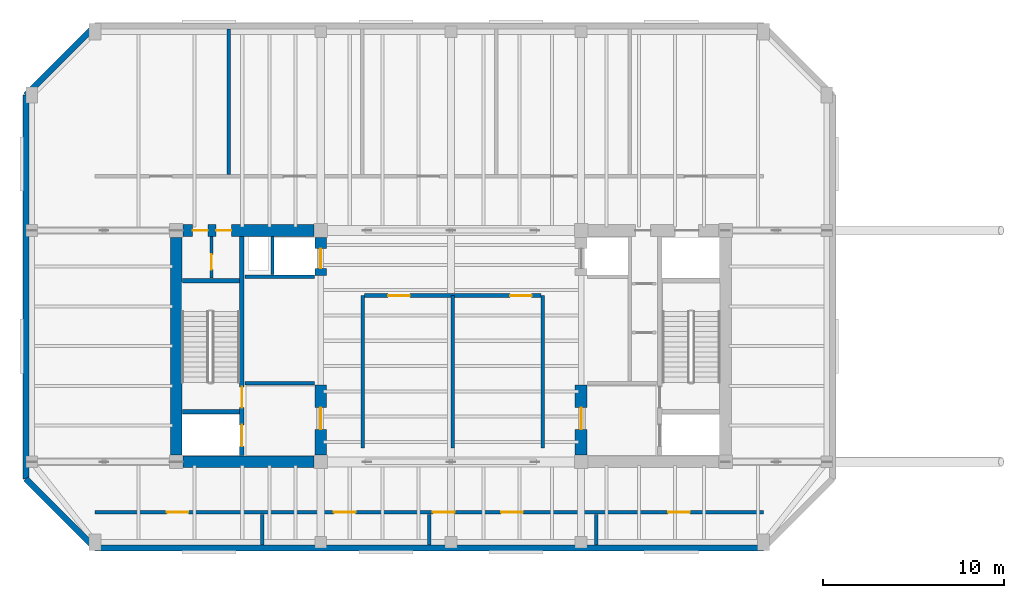
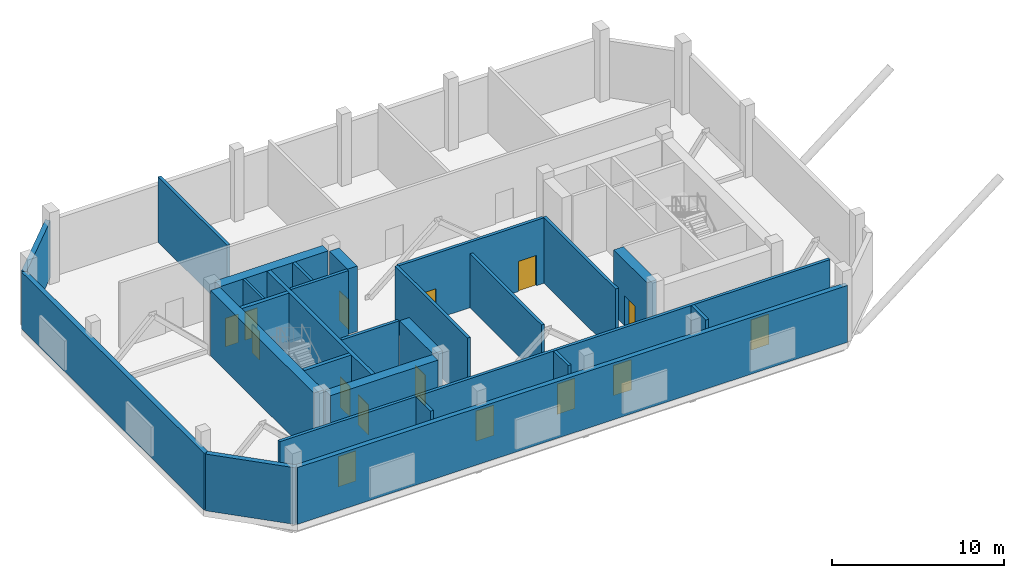
# One storey, part 5 of 9: 26 walls, 15 doors, 15 openings.
"""IFC4 building model written with IfcOpenShell, lengths in metres."""

import ifcopenshell
import ifcopenshell.guid

model = None  # the IFC model being written
_history = None  # IfcOwnerHistory: only IFC2X3 demands one
_inside = {}  # id of a spatial element -> (the spatial element, [elements in it])
_under = {}  # id of a project, library or spatial element -> (it, [spatial elements below it])
_declared = {}  # id of a project -> (the project, [libraries it declares])
_typed = {}  # id of a type object -> (the type object, [elements of that type])
_made_of = {}  # id of a material, layer set ... -> (it, [elements and type objects made of it])


def new_model(schema):
    """Start an empty IFC model of exactly this schema.

    Asked for "IFC4X3", IfcOpenShell would pick the latest addendum, in which some entities
    have other attributes; the version numbers below select the first issue.
    IFC2X3 requires an IfcOwnerHistory on every rooted entity: one is made here for all.
    """
    global model, _history
    if schema == "IFC4X3":
        model = ifcopenshell.file(schema_version=(4, 3, 0, 0))
    else:
        model = ifcopenshell.file(schema=schema)
    _inside.clear()
    _under.clear()
    _declared.clear()
    _typed.clear()
    _made_of.clear()
    _history = None
    if model.schema == "IFC2X3":
        org = make("IfcOrganization", Name="unknown")
        user = make(
            "IfcPersonAndOrganization",
            ThePerson=make("IfcPerson", FamilyName="unknown"),
            TheOrganization=org,
        )
        app = make(
            "IfcApplication",
            ApplicationDeveloper=org,
            Version="unknown",
            ApplicationFullName="unknown",
            ApplicationIdentifier="unknown",
        )
        _history = make(
            "IfcOwnerHistory",
            OwningUser=user,
            OwningApplication=app,
            ChangeAction="ADDED",
            CreationDate=0,
        )
    return model


def make(cls, **values):
    """One entity of the class cls with the attributes given. An attribute that is None is left unset."""
    return model.create_entity(
        cls, **{name: value for name, value in values.items() if value is not None}
    )


def rooted(cls, **values):
    """An entity with a GlobalId (a new one), such as an element, a storey or a relation."""
    return make(cls, GlobalId=ifcopenshell.guid.new(), OwnerHistory=_history, **values)


def si_unit(unit_type, name, prefix=None):
    """IfcSIUnit, for example si_unit("LENGTHUNIT", "METRE", prefix="MILLI")."""
    return make("IfcSIUnit", UnitType=unit_type, Prefix=prefix, Name=name)


def assignment(units):
    """IfcUnitAssignment: the units of a project."""
    return None if units is None else make("IfcUnitAssignment", Units=units)


def point(xyz):
    """IfcCartesianPoint."""
    return None if xyz is None else make("IfcCartesianPoint", Coordinates=xyz)


def direction(xyz):
    """IfcDirection."""
    return None if xyz is None else make("IfcDirection", DirectionRatios=xyz)


def frame(location, z_axis=None, x_axis=None):
    """IfcAxis2Placement3D, a coordinate frame: its origin and axes. An axis left out is left unset."""
    return make(
        "IfcAxis2Placement3D",
        Location=point(location),
        Axis=direction(z_axis),
        RefDirection=direction(x_axis),
    )


def frame_2d(location, x_axis=None):
    """IfcAxis2Placement2D, a coordinate frame in the plane: its origin and x axis."""
    return make(
        "IfcAxis2Placement2D", Location=point(location), RefDirection=direction(x_axis)
    )


def origin():
    """The frame at (0, 0, 0) with its axes left unset."""
    return frame((0.0, 0.0, 0.0))


def place(relative_to, where):
    """IfcLocalPlacement: puts the frame where relative to a parent placement (None: the world)."""
    return make(
        "IfcLocalPlacement", PlacementRelTo=relative_to, RelativePlacement=where
    )


def context(
    kind, dimensions, precision=None, world=None, true_north=None, identifier=None
):
    """IfcGeometricRepresentationContext, for example the 3D "Model" context."""
    return make(
        "IfcGeometricRepresentationContext",
        ContextIdentifier=identifier,
        ContextType=kind,
        CoordinateSpaceDimension=dimensions,
        Precision=precision,
        WorldCoordinateSystem=world,
        TrueNorth=true_north,
    )


def subcontext(parent, identifier, kind, view, scale=None):
    """IfcGeometricRepresentationSubContext, for example "Body" below "Model"."""
    return make(
        "IfcGeometricRepresentationSubContext",
        ContextIdentifier=identifier,
        ContextType=kind,
        ParentContext=parent,
        TargetScale=scale,
        TargetView=view,
    )


def project(units=None, contexts=None):
    """IfcProject with its units and contexts."""
    return rooted(
        "IfcProject",
        Name="project",
        RepresentationContexts=contexts,
        UnitsInContext=assignment(units),
    )


def spatial(cls, under=None, at=None, **own):
    """A site, building, storey or space (cls), placed at a placement, below another one or the project."""
    s = rooted(cls, ObjectPlacement=at, **own)
    if under is not None:
        _under.setdefault(under.id(), (under, []))[1].append(s)
    return s


def profile(cls, at=None, kind="AREA", **sizes):
    """A parametric profile (cls). Its sizes go by their IFC names, for example OverallWidth=200.0."""
    return make(cls, ProfileType=kind, Position=at, **sizes)


def rectangle(**sizes):
    """IfcRectangleProfileDef."""
    return profile("IfcRectangleProfileDef", **sizes)


def extrude(swept, where, along, depth):
    """IfcExtrudedAreaSolid: the profile swept, set in the frame where, extruded along a direction by depth."""
    return make(
        "IfcExtrudedAreaSolid",
        SweptArea=swept,
        Position=where,
        ExtrudedDirection=direction(along),
        Depth=depth,
    )


def shape(context_of_items, identifier, shape_type, items):
    """IfcShapeRepresentation: the items that make up one representation, for example the "Body"."""
    return make(
        "IfcShapeRepresentation",
        ContextOfItems=context_of_items,
        RepresentationIdentifier=identifier,
        RepresentationType=shape_type,
        Items=items,
    )


def material(Name=None, Category=None):
    """IfcMaterial."""
    return make("IfcMaterial", Name=Name, Category=Category)


def layer(
    of_material, thickness, ventilated=None, Name=None, Category=None, Priority=None
):
    """IfcMaterialLayer: one layer of a wall or slab, of a material (None: an air gap)."""
    return make(
        "IfcMaterialLayer",
        Material=of_material,
        LayerThickness=thickness,
        IsVentilated=ventilated,
        Name=Name,
        Category=Category,
        Priority=Priority,
    )


def layer_set(layers, Name=None):
    """IfcMaterialLayerSet."""
    return make("IfcMaterialLayerSet", MaterialLayers=layers, LayerSetName=Name)


def made_of(thing, what):
    """Note that an element or type object is made of a material, layer set ...; save() writes the relation."""
    if what is not None:
        _made_of.setdefault(what.id(), (what, []))[1].append(thing)
    return thing


def type_object(cls, material=None, **own):
    """A type object (cls), such as IfcWallType, which elements share."""
    return made_of(rooted(cls, **own), material)


def element(
    cls,
    number,
    at=None,
    inside=None,
    cuts=None,
    type_object=None,
    material=None,
    context=None,
    identifier="Body",
    shape_type=None,
    held_by="IfcProductDefinitionShape",
    body=None,
    shapes=None,
    **own,
):
    """One element of the class cls, such as IfcWall. Its Tag is "e" and its number.

    at: its placement. inside: the storey or other place that contains it. cuts: it is an
    opening in that element (IfcRelVoidsElement). A single representation is given by context,
    identifier, shape_type and body (its items); several are given by shapes. held_by: the class
    of the entity that holds the representations. save() writes the other relations.
    """
    e = rooted(cls, Tag="e%d" % number, ObjectPlacement=at, **own)
    if body is not None:
        shapes = [shape(context, identifier, shape_type, body)]
    if shapes is not None:
        e.Representation = make(held_by, Representations=shapes)
    if inside is not None:
        _inside.setdefault(inside.id(), (inside, []))[1].append(e)
    if cuts is not None:
        rooted(
            "IfcRelVoidsElement", RelatingBuildingElement=cuts, RelatedOpeningElement=e
        )
    if type_object is not None:
        _typed.setdefault(type_object.id(), (type_object, []))[1].append(e)
    return made_of(e, material)


def fill(opening, filler):
    """IfcRelFillsElement: the door or window that sits in an opening."""
    return rooted(
        "IfcRelFillsElement",
        RelatingOpeningElement=opening,
        RelatedBuildingElement=filler,
    )


def aggregate(whole, parts):
    """IfcRelAggregates: a whole, such as a stair, and the parts it consists of."""
    return rooted("IfcRelAggregates", RelatingObject=whole, RelatedObjects=parts)


def save(model, path):
    """Write the relations noted so far, then the file.

    IfcRelAggregates (storeys below a building ...), IfcRelContainedInSpatialStructure (elements
    in a storey), IfcRelDefinesByType, IfcRelAssociatesMaterial and IfcRelDeclares: one each for
    every whole, place, type object, material and project.
    """
    for whole, parts in _under.values():
        aggregate(whole, parts)
    for where, things in _inside.values():
        rooted(
            "IfcRelContainedInSpatialStructure",
            RelatedElements=things,
            RelatingStructure=where,
        )
    for kind, things in _typed.values():
        rooted("IfcRelDefinesByType", RelatedObjects=things, RelatingType=kind)
    for what, things in _made_of.values():
        rooted("IfcRelAssociatesMaterial", RelatedObjects=things, RelatingMaterial=what)
    for by, libraries in _declared.values():
        rooted("IfcRelDeclares", RelatingContext=by, RelatedDefinitions=libraries)
    model.write(path)


model = new_model("IFC4")

# Units and contexts
model_context = context("Model", 3, precision=1e-05, world=origin(), true_north=direction((0.0, 1.0)))
body_context = subcontext(model_context, "Body", "Model", "MODEL_VIEW")
ifc_project = project(units=[si_unit("LENGTHUNIT", "METRE"), si_unit("AREAUNIT", "SQUARE_METRE"), si_unit("VOLUMEUNIT", "CUBIC_METRE"), si_unit("PLANEANGLEUNIT", "RADIAN"), si_unit("MASSUNIT", "GRAM", prefix="KILO")], contexts=[model_context])

# Site, building, storey
site_placement = place(None, origin())
site = spatial("IfcSite", under=ifc_project, at=site_placement, CompositionType="ELEMENT")
building_placement = place(site_placement, origin())
building = spatial("IfcBuilding", under=site, at=building_placement, Name="Kranthara Brick Stack", CompositionType="ELEMENT")
storey_placement = place(building_placement, frame((0.0, 0.0, 282.300048828125)))
storey = spatial("IfcBuildingStorey", under=building, at=storey_placement, Name="L75", CompositionType="ELEMENT", Elevation=282.300048828125)

# Walls
ifc_material_1 = material(Name="Warm buff clay brick masonry M15", Category="masonry")
ifc_layer_1 = layer(ifc_material_1, 0.320068359375)
ifc_layer_set_1 = layer_set([ifc_layer_1], Name="Warm buff clay brick masonry M15")
wall_type_1 = type_object("IfcWallType", Name="WL-BRK-UPPR-320", PredefinedType="STANDARD", material=ifc_layer_set_1)
wall_1_placement = place(storey_placement, frame((45.300048828125, 16.030029296875, 0.0), z_axis=(0.0, 0.0, 1.0), x_axis=(-1.0, 0.0, 0.0)))
element("IfcWall", 1, at=wall_1_placement, inside=storey, type_object=wall_type_1, Name="L75 Exterior Brick Facade Wall SOUTH 1", PredefinedType="STANDARD", context=body_context, shape_type="SweptSolid", body=[
    extrude(rectangle(XDim=37.0, YDim=0.320068359375, at=frame_2d((18.5, 0.0))), origin(), (0.0, 0.0, 1.0), 4.034912109375),
])
wall_2_placement = place(storey_placement, frame((8.300048828125, 16.030029296875, 0.0), z_axis=(0.0, 0.0, 1.0), x_axis=(-0.707106781187, 0.707106781187, 0.0)))
element("IfcWall", 2, at=wall_2_placement, inside=storey, type_object=wall_type_1, Name="L75 Exterior Brick Facade Wall SW 1", PredefinedType="STANDARD", context=body_context, shape_type="SweptSolid", body=[
    extrude(rectangle(XDim=5.40234375, YDim=0.320068359375, at=frame_2d((2.701171875, 0.0))), origin(), (0.0, 0.0, 1.0), 4.034912109375),
])
wall_3_placement = place(storey_placement, frame((4.47998046875, 19.85009765625, 0.0), z_axis=(0.0, 0.0, 1.0), x_axis=(0.0, 1.0, 0.0)))
element("IfcWall", 3, at=wall_3_placement, inside=storey, type_object=wall_type_1, Name="L75 Exterior Brick Facade Wall WEST 1", PredefinedType="STANDARD", context=body_context, shape_type="SweptSolid", body=[
    extrude(rectangle(XDim=21.25, YDim=0.320068359375, at=frame_2d((10.625, 0.0))), origin(), (0.0, 0.0, 1.0), 4.034912109375),
])
wall_4_placement = place(storey_placement, frame((4.47998046875, 41.10009765625, 0.0), z_axis=(0.0, 0.0, 1.0), x_axis=(0.70712937715, 0.707084184501, 0.0)))
element("IfcWall", 4, at=wall_4_placement, inside=storey, type_object=wall_type_1, Name="L75 Exterior Brick Facade Wall NW 1", PredefinedType="STANDARD", context=body_context, shape_type="SweptSolid", body=[
    extrude(rectangle(XDim=5.402099609375, YDim=0.320068359375, at=frame_2d((2.701171875, 0.0))), origin(), (0.0, 0.0, 1.0), 4.034912109375),
])

# Wall, openings, doors
ifc_material_2 = material(Name="Concrete C50/60", Category="concrete")
ifc_layer_2 = layer(ifc_material_2, 0.25)
ifc_layer_set_2 = layer_set([ifc_layer_2], Name="Concrete C50/60")
wall_type_2 = type_object("IfcWallType", Name="WL-CORE-250", PredefinedType="SHEAR", material=ifc_layer_set_2)
wall_5_placement = place(storey_placement, frame((16.43505859375, 21.135009765625, 0.0), z_axis=(0.0, 0.0, 1.0), x_axis=(0.0, 1.0, 0.0)))
wall_5 = element("IfcWall", 5, at=wall_5_placement, inside=storey, type_object=wall_type_2, Name="L75 West Core Stair Bearing Spine Wall", PredefinedType="SHEAR", context=body_context, shape_type="SweptSolid", body=[
    extrude(rectangle(XDim=12.1298828125, YDim=0.25, at=frame_2d((6.06494140625, 0.0))), origin(), (0.0, 0.0, 1.0), 4.64990234375),
])
opening_1_placement = place(wall_5_placement, frame((0.514892578125, 0.0, 0.0)))
opening_1 = element("IfcOpeningElement", 6, at=opening_1_placement, cuts=wall_5, Name="Opening LD01", PredefinedType="OPENING", context=body_context, shape_type="SweptSolid", body=[
    extrude(rectangle(XDim=1.199951171875, YDim=2.14990234375, at=frame_2d((0.60009765625, 1.074951171875))), frame((0.0, 0.135009765625, 0.0), z_axis=(0.0, -1.0, 0.0), x_axis=(1.0, 0.0, 0.0)), (0.0, 0.0, 1.0), 0.27001953125),
])
opening_2_placement = place(wall_5_placement, frame((2.6650390625, 0.0, 0.0)))
opening_2 = element("IfcOpeningElement", 7, at=opening_2_placement, cuts=wall_5, Name="Opening D05", PredefinedType="OPENING", context=body_context, shape_type="SweptSolid", body=[
    extrude(rectangle(XDim=1.14990234375, YDim=2.14990234375, at=frame_2d((0.574951171875, 1.074951171875))), frame((0.0, 0.135009765625, 0.0), z_axis=(0.0, -1.0, 0.0), x_axis=(1.0, 0.0, 0.0)), (0.0, 0.0, 1.0), 0.27001953125),
])
ifc_material_3 = material(Name="Stainless steel sliding landing door", Category="steel")
door_type_1 = type_object("IfcDoorType", Name="DR-LD-FF1200", OperationType="DOUBLE_DOOR_SLIDING", PredefinedType="DOOR", material=ifc_material_3)
door_1_placement = place(opening_1_placement, origin())
door_1 = element("IfcDoor", 8, at=door_1_placement, inside=storey, type_object=door_type_1, Name="L75 Firefighting Lift FF-01 Landing Door", OperationType="DOUBLE_DOOR_SLIDING", OverallHeight=2.14990234375, OverallWidth=1.199951171875, PredefinedType="DOOR", context=body_context, shape_type="SweptSolid", body=[
    extrude(rectangle(XDim=1.199951171875, YDim=2.14990234375, at=frame_2d((0.60009765625, 1.074951171875))), frame((0.0, 0.02490234375, 0.0), z_axis=(0.0, -1.0, 0.0), x_axis=(1.0, 0.0, 0.0)), (0.0, 0.0, 1.0), 0.050048828125),
])
fill(opening_1, door_1)
ifc_material_4 = material(Name="Solid-core hardwood timber leaf in steel frame", Category="steel")
door_type_2 = type_object("IfcDoorType", Name="DR-ST-1150", OperationType="NOTDEFINED", PredefinedType="DOOR", material=ifc_material_4)
door_2_placement = place(opening_2_placement, origin())
door_2 = element("IfcDoor", 9, at=door_2_placement, inside=storey, type_object=door_type_2, Name="L75 Exit Stair ST01 Door", OperationType="SINGLE_SWING_RIGHT", OverallHeight=2.14990234375, OverallWidth=1.14990234375, PredefinedType="DOOR", context=body_context, shape_type="SweptSolid", body=[
    extrude(rectangle(XDim=1.14990234375, YDim=2.14990234375, at=frame_2d((0.574951171875, 1.074951171875))), frame((0.0, 0.02490234375, 0.0), z_axis=(0.0, -1.0, 0.0), x_axis=(1.0, 0.0, 0.0)), (0.0, 0.0, 1.0), 0.050048828125),
])
fill(opening_2, door_2)

# Walls
for number, where, z_axis, x_axis, name in (
    (10, (13.135009765625, 23.570068359375, 0.0), (0.0, 0.0, 1.0), (1.0, 0.0, 0.0), "L75 West Stairwell Bearing Wall WFF"),
    (11, (13.135009765625, 30.830078125, 0.0), (0.0, 0.0, 1.0), (1.0, 0.0, 0.0), "L75 West Stairwell Bearing Wall WST"),
):
    element("IfcWall", number, at=place(storey_placement, frame(where, z_axis=z_axis, x_axis=x_axis)), inside=storey, type_object=wall_type_2, Name=name, PredefinedType="SHEAR", context=body_context, shape_type="SweptSolid", body=[
        extrude(rectangle(XDim=3.175048828125, YDim=0.25, at=frame_2d((1.58740234375, 0.0))), origin(), (0.0, 0.0, 1.0), 4.64990234375),
    ])
ifc_material_5 = material(Name="Concrete C60/75", Category="concrete")
ifc_layer_3 = layer(ifc_material_5, 0.64990234375)
ifc_layer_set_3 = layer_set([ifc_layer_3], Name="Concrete C60/75")
wall_type_3 = type_object("IfcWallType", Name="WL-CORE-650", PredefinedType="SHEAR", material=ifc_layer_set_3)
wall_6_placement = place(storey_placement, frame((12.800048828125, 21.179931640625, 0.0), z_axis=(0.0, 0.0, 1.0), x_axis=(0.0, 1.0, 0.0)))
element("IfcWall", 12, at=wall_6_placement, inside=storey, type_object=wall_type_3, Name="L75 West Core Shear Wall West", PredefinedType="SHEAR", context=body_context, shape_type="SweptSolid", body=[
    extrude(rectangle(XDim=12.0400390625, YDim=0.64990234375, at=frame_2d((6.02001953125, 0.0))), origin(), (0.0, 0.0, 1.0), 4.64990234375),
])
wall_7_placement = place(storey_placement, frame((13.179931640625, 20.800048828125, 0.0), z_axis=(0.0, 0.0, 1.0), x_axis=(1.0, 0.0, 0.0)))
element("IfcWall", 13, at=wall_7_placement, inside=storey, type_object=wall_type_3, Name="L75 West Core Shear Wall South", PredefinedType="SHEAR", context=body_context, shape_type="SweptSolid", body=[
    extrude(rectangle(XDim=7.239990234375, YDim=0.64990234375, at=frame_2d((3.6201171875, 0.0))), origin(), (0.0, 0.0, 1.0), 4.64990234375),
])

# Wall, openings, doors
wall_8_placement = place(storey_placement, frame((13.179931640625, 33.60009765625, 0.0), z_axis=(0.0, 0.0, 1.0), x_axis=(1.0, 0.0, 0.0)))
wall_8 = element("IfcWall", 14, at=wall_8_placement, inside=storey, type_object=wall_type_3, Name="L75 West Core Shear Wall North", PredefinedType="SHEAR", context=body_context, shape_type="SweptSolid", body=[
    extrude(rectangle(XDim=7.239990234375, YDim=0.64990234375, at=frame_2d((3.6201171875, 0.0))), origin(), (0.0, 0.0, 1.0), 4.64990234375),
])
opening_3_placement = place(wall_8_placement, frame((0.52001953125, 0.0, 0.0)))
opening_3 = element("IfcOpeningElement", 15, at=opening_3_placement, cuts=wall_8, Name="Opening D10", PredefinedType="OPENING", context=body_context, shape_type="SweptSolid", body=[
    extrude(rectangle(XDim=0.85009765625, YDim=2.02001953125, at=frame_2d((0.425048828125, 1.010009765625))), frame((0.0, 0.3349609375, 0.0), z_axis=(0.0, -1.0, 0.0), x_axis=(1.0, 0.0, 0.0)), (0.0, 0.0, 1.0), 0.669921875),
])
opening_4_placement = place(wall_8_placement, frame((1.820068359375, 0.0, 0.0)))
opening_4 = element("IfcOpeningElement", 16, at=opening_4_placement, cuts=wall_8, Name="Opening D10", PredefinedType="OPENING", context=body_context, shape_type="SweptSolid", body=[
    extrude(rectangle(XDim=0.85009765625, YDim=2.02001953125, at=frame_2d((0.425048828125, 1.010009765625))), frame((0.0, 0.3349609375, 0.0), z_axis=(0.0, -1.0, 0.0), x_axis=(1.0, 0.0, 0.0)), (0.0, 0.0, 1.0), 0.669921875),
])
ifc_material_6 = material(Name="Solid-core hardwood timber leaf in steel frame", Category="steel")
door_type_3 = type_object("IfcDoorType", Name="DR-RSR-850", OperationType="NOTDEFINED", PredefinedType="DOOR", material=ifc_material_6)
door_3_placement = place(opening_3_placement, origin())
door_3 = element("IfcDoor", 17, at=door_3_placement, inside=storey, type_object=door_type_3, Name="L75 West Core Service Door 1", OperationType="SINGLE_SWING_LEFT", OverallHeight=2.02001953125, OverallWidth=0.85009765625, PredefinedType="DOOR", context=body_context, shape_type="SweptSolid", body=[
    extrude(rectangle(XDim=0.85009765625, YDim=2.02001953125, at=frame_2d((0.425048828125, 1.010009765625))), frame((0.0, 0.02490234375, 0.0), z_axis=(0.0, -1.0, 0.0), x_axis=(1.0, 0.0, 0.0)), (0.0, 0.0, 1.0), 0.050048828125),
])
fill(opening_3, door_3)
door_4_placement = place(opening_4_placement, origin())
door_4 = element("IfcDoor", 18, at=door_4_placement, inside=storey, type_object=door_type_3, Name="L75 West Core Service Door 2", OperationType="SINGLE_SWING_RIGHT", OverallHeight=2.02001953125, OverallWidth=0.85009765625, PredefinedType="DOOR", context=body_context, shape_type="SweptSolid", body=[
    extrude(rectangle(XDim=0.85009765625, YDim=2.02001953125, at=frame_2d((0.425048828125, 1.010009765625))), frame((0.0, 0.02490234375, 0.0), z_axis=(0.0, -1.0, 0.0), x_axis=(1.0, 0.0, 0.0)), (0.0, 0.0, 1.0), 0.050048828125),
])
fill(opening_4, door_4)

# Wall, opening, door
wall_9_placement = place(storey_placement, frame((20.800048828125, 21.179931640625, 0.0), z_axis=(0.0, 0.0, 1.0), x_axis=(0.0, 1.0, 0.0)))
wall_9 = element("IfcWall", 19, at=wall_9_placement, inside=storey, type_object=wall_type_3, Name="L75 West Core Lobby Shear Wall", PredefinedType="SHEAR", context=body_context, shape_type="SweptSolid", body=[
    extrude(rectangle(XDim=3.8701171875, YDim=0.64990234375, at=frame_2d((1.93505859375, 0.0))), origin(), (0.0, 0.0, 1.0), 4.64990234375),
])
opening_5_placement = place(wall_9_placement, frame((1.419921875, 0.0, 0.0)))
opening_5 = element("IfcOpeningElement", 20, at=opening_5_placement, cuts=wall_9, Name="Opening D06", PredefinedType="OPENING", context=body_context, shape_type="SweptSolid", body=[
    extrude(rectangle(XDim=1.199951171875, YDim=2.14990234375, at=frame_2d((0.60009765625, 1.074951171875))), frame((0.0, 0.3349609375, 0.0), z_axis=(0.0, -1.0, 0.0), x_axis=(1.0, 0.0, 0.0)), (0.0, 0.0, 1.0), 0.669921875),
])
ifc_material_7 = material(Name="Solid-core hardwood timber leaf in steel frame", Category="steel")
door_type_4 = type_object("IfcDoorType", Name="DR-FFL-1200", OperationType="NOTDEFINED", PredefinedType="DOOR", material=ifc_material_7)
door_5_placement = place(opening_5_placement, origin())
door_5 = element("IfcDoor", 21, at=door_5_placement, inside=storey, type_object=door_type_4, Name="L75 West Firefighting Lobby Door", OperationType="SINGLE_SWING_LEFT", OverallHeight=2.14990234375, OverallWidth=1.199951171875, PredefinedType="DOOR", context=body_context, shape_type="SweptSolid", body=[
    extrude(rectangle(XDim=1.199951171875, YDim=2.14990234375, at=frame_2d((0.60009765625, 1.074951171875))), frame((0.0, 0.02490234375, 0.0), z_axis=(0.0, -1.0, 0.0), x_axis=(1.0, 0.0, 0.0)), (0.0, 0.0, 1.0), 0.050048828125),
])
fill(opening_5, door_5)

wall_10_placement = place(storey_placement, frame((20.800048828125, 31.10009765625, 0.0), z_axis=(0.0, 0.0, 1.0), x_axis=(0.0, 1.0, 0.0)))
wall_10 = element("IfcWall", 22, at=wall_10_placement, inside=storey, type_object=wall_type_3, Name="L75 West Core High-Rise Lift Wall", PredefinedType="SHEAR", context=body_context, shape_type="SweptSolid", body=[
    extrude(rectangle(XDim=2.119873046875, YDim=0.64990234375, at=frame_2d((1.06005859375, 0.0))), origin(), (0.0, 0.0, 1.0), 4.64990234375),
])
opening_6_placement = place(wall_10_placement, frame((0.39990234375, 0.0, 0.0)))
opening_6 = element("IfcOpeningElement", 23, at=opening_6_placement, cuts=wall_10, Name="Opening LD02", PredefinedType="OPENING", context=body_context, shape_type="SweptSolid", body=[
    extrude(rectangle(XDim=1.10009765625, YDim=2.10009765625, at=frame_2d((0.550048828125, 1.050048828125))), frame((0.0, 0.3349609375, 0.0), z_axis=(0.0, -1.0, 0.0), x_axis=(1.0, 0.0, 0.0)), (0.0, 0.0, 1.0), 0.669921875),
])
ifc_material_8 = material(Name="Stainless steel sliding landing door", Category="steel")
door_type_5 = type_object("IfcDoorType", Name="DR-LD-PL1100", OperationType="DOUBLE_DOOR_SLIDING", PredefinedType="DOOR", material=ifc_material_8)
door_6_placement = place(opening_6_placement, origin())
door_6 = element("IfcDoor", 24, at=door_6_placement, inside=storey, type_object=door_type_5, Name="L75 PL-07 Lift Landing Door", OperationType="DOUBLE_DOOR_SLIDING", OverallHeight=2.10009765625, OverallWidth=1.10009765625, PredefinedType="DOOR", context=body_context, shape_type="SweptSolid", body=[
    extrude(rectangle(XDim=1.10009765625, YDim=2.10009765625, at=frame_2d((0.550048828125, 1.050048828125))), frame((0.0, 0.02490234375, 0.0), z_axis=(0.0, -1.0, 0.0), x_axis=(1.0, 0.0, 0.0)), (0.0, 0.0, 1.0), 0.050048828125),
])
fill(opening_6, door_6)

wall_11_placement = place(storey_placement, frame((35.199951171875, 21.179931640625, 0.0), z_axis=(0.0, 0.0, 1.0), x_axis=(0.0, 1.0, 0.0)))
wall_11 = element("IfcWall", 25, at=wall_11_placement, inside=storey, type_object=wall_type_3, Name="L75 East Core Lobby Shear Wall", PredefinedType="SHEAR", context=body_context, shape_type="SweptSolid", body=[
    extrude(rectangle(XDim=3.8701171875, YDim=0.64990234375, at=frame_2d((1.93505859375, 0.0))), origin(), (0.0, 0.0, 1.0), 4.64990234375),
])
opening_7_placement = place(wall_11_placement, frame((1.419921875, 0.0, 0.0)))
opening_7 = element("IfcOpeningElement", 26, at=opening_7_placement, cuts=wall_11, Name="Opening D06", PredefinedType="OPENING", context=body_context, shape_type="SweptSolid", body=[
    extrude(rectangle(XDim=1.199951171875, YDim=2.14990234375, at=frame_2d((0.60009765625, 1.074951171875))), frame((0.0, 0.3349609375, 0.0), z_axis=(0.0, -1.0, 0.0), x_axis=(1.0, 0.0, 0.0)), (0.0, 0.0, 1.0), 0.669921875),
])
door_7_placement = place(opening_7_placement, origin())
door_7 = element("IfcDoor", 27, at=door_7_placement, inside=storey, type_object=door_type_4, Name="L75 East Firefighting Lobby Door", OperationType="SINGLE_SWING_RIGHT", OverallHeight=2.14990234375, OverallWidth=1.199951171875, PredefinedType="DOOR", context=body_context, shape_type="SweptSolid", body=[
    extrude(rectangle(XDim=1.199951171875, YDim=2.14990234375, at=frame_2d((0.60009765625, 1.074951171875))), frame((0.0, 0.02490234375, 0.0), z_axis=(0.0, -1.0, 0.0), x_axis=(1.0, 0.0, 0.0)), (0.0, 0.0, 1.0), 0.050048828125),
])
fill(opening_7, door_7)

ifc_material_9 = material(Name="Fire-rated gypsum board partition", Category="other")
ifc_layer_4 = layer(ifc_material_9, 0.14990234375)
ifc_layer_set_4 = layer_set([ifc_layer_4], Name="Fire-rated gypsum board partition")
wall_type_4 = type_object("IfcWallType", Name="WL-PART-150", PredefinedType="PARTITIONING", material=ifc_layer_set_4)
wall_12_placement = place(storey_placement, frame((14.75, 30.9599609375, 0.0), z_axis=(0.0, 0.0, 1.0), x_axis=(0.0, 1.0, 0.0)))
wall_12 = element("IfcWall", 28, at=wall_12_placement, inside=storey, type_object=wall_type_4, Name="L75 Interior Partition 001", PredefinedType="PARTITIONING", context=body_context, shape_type="SweptSolid", body=[
    extrude(rectangle(XDim=2.31005859375, YDim=0.14990234375, at=frame_2d((1.155029296875, 0.0))), origin(), (0.0, 0.0, 1.0), 4.64990234375),
])
opening_8_placement = place(wall_12_placement, frame((0.469970703125, 0.0, 0.0)))
opening_8 = element("IfcOpeningElement", 29, at=opening_8_placement, cuts=wall_12, Name="Opening D10", PredefinedType="OPENING", context=body_context, shape_type="SweptSolid", body=[
    extrude(rectangle(XDim=0.85009765625, YDim=2.02001953125, at=frame_2d((0.425048828125, 1.010009765625))), frame((0.0, 0.0849609375, 0.0), z_axis=(0.0, -1.0, 0.0), x_axis=(1.0, 0.0, 0.0)), (0.0, 0.0, 1.0), 0.169921875),
])
door_8_placement = place(opening_8_placement, origin())
door_8 = element("IfcDoor", 30, at=door_8_placement, inside=storey, type_object=door_type_3, Name="L75 Service Interconnect 01", OperationType="SINGLE_SWING_LEFT", OverallHeight=2.02001953125, OverallWidth=0.85009765625, PredefinedType="DOOR", context=body_context, shape_type="SweptSolid", body=[
    extrude(rectangle(XDim=0.85009765625, YDim=2.02001953125, at=frame_2d((0.425048828125, 1.010009765625))), frame((0.0, 0.02490234375, 0.0), z_axis=(0.0, -1.0, 0.0), x_axis=(1.0, 0.0, 0.0)), (0.0, 0.0, 1.0), 0.050048828125),
])
fill(opening_8, door_8)

# Walls
ifc_material_10 = material(Name="Gypsum plasterboard on acoustic twin stud", Category="other")
ifc_layer_5 = layer(ifc_material_10, 0.179931640625)
ifc_layer_set_5 = layer_set([ifc_layer_5], Name="Gypsum plasterboard on acoustic twin stud")
wall_type_5 = type_object("IfcWallType", Name="WL-PART-180", PredefinedType="PARTITIONING", material=ifc_layer_set_5)
wall_13_placement = place(storey_placement, frame((18.1201171875, 31.169921875, 0.0), z_axis=(0.0, 0.0, 1.0), x_axis=(0.0, 1.0, 0.0)))
element("IfcWall", 31, at=wall_13_placement, inside=storey, type_object=wall_type_5, Name="L75 PL-07 Shaft Back Wall", PredefinedType="PARTITIONING", context=body_context, shape_type="SweptSolid", body=[
    extrude(rectangle(XDim=2.094970703125, YDim=0.179931640625, at=frame_2d((1.04736328125, 0.0))), origin(), (0.0, 0.0, 1.0), 4.64990234375),
])
ifc_material_11 = material(Name="Concrete C40/50", Category="concrete")
ifc_layer_6 = layer(ifc_material_11, 0.199951171875)
ifc_layer_set_6 = layer_set([ifc_layer_6], Name="Concrete C40/50")
wall_type_6 = type_object("IfcWallType", Name="WL-PART-200", PredefinedType="SOLIDWALL", material=ifc_layer_set_6)
for number, where, z_axis, x_axis, name in (
    (32, (16.60009765625, 25.14990234375, 0.0), (0.0, 0.0, 1.0), (1.0, 0.0, 0.0), "L75 West Core Cross Wall WFL"),
    (33, (16.60009765625, 31.050048828125, 0.0), (0.0, 0.0, 1.0), (1.0, 0.0, 0.0), "L75 West Core Cross Wall WH4"),
):
    element("IfcWall", number, at=place(storey_placement, frame(where, z_axis=z_axis, x_axis=x_axis)), inside=storey, type_object=wall_type_6, Name=name, PredefinedType="SOLIDWALL", context=body_context, shape_type="SweptSolid", body=[
        extrude(rectangle(XDim=3.849853515625, YDim=0.199951171875, at=frame_2d((1.9248046875, 0.0))), origin(), (0.0, 0.0, 1.0), 4.64990234375),
    ])

# Wall, openings, doors
wall_14_placement = place(storey_placement, frame((8.300048828125, 18.0, 0.0), z_axis=(0.0, 0.0, 1.0), x_axis=(1.0, 0.0, 0.0)))
wall_14 = element("IfcWall", 34, at=wall_14_placement, inside=storey, type_object=wall_type_6, Name="L75 Interior Partition 004", PredefinedType="SOLIDWALL", context=body_context, shape_type="SweptSolid", body=[
    extrude(rectangle(XDim=37.0, YDim=0.199951171875, at=frame_2d((18.5, 0.0))), origin(), (0.0, 0.0, 1.0), 4.64990234375),
])
opening_9_placement = place(wall_14_placement, frame((3.97509765625, 0.0, 0.0)))
opening_9 = element("IfcOpeningElement", 35, at=opening_9_placement, cuts=wall_14, Name="Opening D21", PredefinedType="OPENING", context=body_context, shape_type="SweptSolid", body=[
    extrude(rectangle(XDim=1.199951171875, YDim=2.14990234375, at=frame_2d((0.60009765625, 1.074951171875))), frame((0.0, 0.10986328125, 0.0), z_axis=(0.0, -1.0, 0.0), x_axis=(1.0, 0.0, 0.0)), (0.0, 0.0, 1.0), 0.219970703125),
])
opening_10_placement = place(wall_14_placement, frame((13.22509765625, 0.0, 0.0)))
opening_10 = element("IfcOpeningElement", 36, at=opening_10_placement, cuts=wall_14, Name="Opening D21", PredefinedType="OPENING", context=body_context, shape_type="SweptSolid", body=[
    extrude(rectangle(XDim=1.199951171875, YDim=2.14990234375, at=frame_2d((0.60009765625, 1.074951171875))), frame((0.0, 0.10986328125, 0.0), z_axis=(0.0, -1.0, 0.0), x_axis=(1.0, 0.0, 0.0)), (0.0, 0.0, 1.0), 0.219970703125),
])
opening_11_placement = place(wall_14_placement, frame((22.47509765625, 0.0, 0.0)))
opening_11 = element("IfcOpeningElement", 37, at=opening_11_placement, cuts=wall_14, Name="Opening D21", PredefinedType="OPENING", context=body_context, shape_type="SweptSolid", body=[
    extrude(rectangle(XDim=1.199951171875, YDim=2.14990234375, at=frame_2d((0.60009765625, 1.074951171875))), frame((0.0, 0.10986328125, 0.0), z_axis=(0.0, -1.0, 0.0), x_axis=(1.0, 0.0, 0.0)), (0.0, 0.0, 1.0), 0.219970703125),
])
opening_12_placement = place(wall_14_placement, frame((31.72509765625, 0.0, 0.0)))
opening_12 = element("IfcOpeningElement", 38, at=opening_12_placement, cuts=wall_14, Name="Opening D21", PredefinedType="OPENING", context=body_context, shape_type="SweptSolid", body=[
    extrude(rectangle(XDim=1.199951171875, YDim=2.14990234375, at=frame_2d((0.60009765625, 1.074951171875))), frame((0.0, 0.10986328125, 0.0), z_axis=(0.0, -1.0, 0.0), x_axis=(1.0, 0.0, 0.0)), (0.0, 0.0, 1.0), 0.219970703125),
])
opening_13_placement = place(wall_14_placement, frame((18.699951171875, 0.0, 0.0)))
opening_13 = element("IfcOpeningElement", 39, at=opening_13_placement, cuts=wall_14, Name="Opening VG02", PredefinedType="OPENING", context=body_context, shape_type="SweptSolid", body=[
    extrude(rectangle(XDim=1.199951171875, YDim=2.14990234375, at=frame_2d((0.60009765625, 1.074951171875))), frame((0.0, 0.10986328125, 0.0), z_axis=(0.0, -1.0, 0.0), x_axis=(1.0, 0.0, 0.0)), (0.0, 0.0, 1.0), 0.219970703125),
])
ifc_material_12 = material(Name="Solid-core hardwood timber leaf in steel frame", Category="steel")
door_type_6 = type_object("IfcDoorType", Name="DR-FD-1200", OperationType="NOTDEFINED", PredefinedType="DOOR", material=ifc_material_12)
door_9_placement = place(opening_9_placement, origin())
door_9 = element("IfcDoor", 40, at=door_9_placement, inside=storey, type_object=door_type_6, Name="L75 PLT-01 06", OperationType="SINGLE_SWING_RIGHT", OverallHeight=2.14990234375, OverallWidth=1.199951171875, PredefinedType="DOOR", context=body_context, shape_type="SweptSolid", body=[
    extrude(rectangle(XDim=1.199951171875, YDim=2.14990234375, at=frame_2d((0.60009765625, 1.074951171875))), frame((0.0, 0.02490234375, 0.0), z_axis=(0.0, -1.0, 0.0), x_axis=(1.0, 0.0, 0.0)), (0.0, 0.0, 1.0), 0.050048828125),
])
fill(opening_9, door_9)
door_10_placement = place(opening_10_placement, origin())
door_10 = element("IfcDoor", 41, at=door_10_placement, inside=storey, type_object=door_type_6, Name="L75 REF-S 07", OperationType="SINGLE_SWING_LEFT", OverallHeight=2.14990234375, OverallWidth=1.199951171875, PredefinedType="DOOR", context=body_context, shape_type="SweptSolid", body=[
    extrude(rectangle(XDim=1.199951171875, YDim=2.14990234375, at=frame_2d((0.60009765625, 1.074951171875))), frame((0.0, 0.02490234375, 0.0), z_axis=(0.0, -1.0, 0.0), x_axis=(1.0, 0.0, 0.0)), (0.0, 0.0, 1.0), 0.050048828125),
])
fill(opening_10, door_10)
door_11_placement = place(opening_11_placement, origin())
door_11 = element("IfcDoor", 42, at=door_11_placement, inside=storey, type_object=door_type_6, Name="L75 PLT-02 08", OperationType="SINGLE_SWING_RIGHT", OverallHeight=2.14990234375, OverallWidth=1.199951171875, PredefinedType="DOOR", context=body_context, shape_type="SweptSolid", body=[
    extrude(rectangle(XDim=1.199951171875, YDim=2.14990234375, at=frame_2d((0.60009765625, 1.074951171875))), frame((0.0, 0.02490234375, 0.0), z_axis=(0.0, -1.0, 0.0), x_axis=(1.0, 0.0, 0.0)), (0.0, 0.0, 1.0), 0.050048828125),
])
fill(opening_11, door_11)
door_12_placement = place(opening_12_placement, origin())
door_12 = element("IfcDoor", 43, at=door_12_placement, inside=storey, type_object=door_type_6, Name="L75 PLT-03 09", OperationType="SINGLE_SWING_LEFT", OverallHeight=2.14990234375, OverallWidth=1.199951171875, PredefinedType="DOOR", context=body_context, shape_type="SweptSolid", body=[
    extrude(rectangle(XDim=1.199951171875, YDim=2.14990234375, at=frame_2d((0.60009765625, 1.074951171875))), frame((0.0, 0.02490234375, 0.0), z_axis=(0.0, -1.0, 0.0), x_axis=(1.0, 0.0, 0.0)), (0.0, 0.0, 1.0), 0.050048828125),
])
fill(opening_12, door_12)
ifc_material_13 = material(Name="Powder-coated galvanized steel sheet", Category="steel")
door_type_7 = type_object("IfcDoorType", Name="DR-PGATE-1200", OperationType="NOTDEFINED", PredefinedType="GATE", material=ifc_material_13)
door_13_placement = place(opening_13_placement, origin())
door_13 = element("IfcDoor", 44, at=door_13_placement, inside=storey, type_object=door_type_7, Name="L75 Mechanical Plant Security Gate", OperationType="SINGLE_SWING_LEFT", OverallHeight=2.14990234375, OverallWidth=1.199951171875, PredefinedType="GATE", context=body_context, shape_type="SweptSolid", body=[
    extrude(rectangle(XDim=1.199951171875, YDim=2.14990234375, at=frame_2d((0.60009765625, 1.074951171875))), frame((0.0, 0.02490234375, 0.0), z_axis=(0.0, -1.0, 0.0), x_axis=(1.0, 0.0, 0.0)), (0.0, 0.0, 1.0), 0.050048828125),
])
fill(opening_13, door_13)

# Walls
for number, where, z_axis, x_axis, name in (
    (45, (23.1201171875, 21.550048828125, 0.0), (0.0, 0.0, 1.0), (0.0, 1.0, 0.0), "L75 Interior Partition 006"),
    (46, (33.080078125, 21.550048828125, 0.0), (0.0, 0.0, 1.0), (0.0, 1.0, 0.0), "L75 Interior Partition 007"),
):
    element("IfcWall", number, at=place(storey_placement, frame(where, z_axis=z_axis, x_axis=x_axis)), inside=storey, type_object=wall_type_6, Name=name, PredefinedType="SOLIDWALL", context=body_context, shape_type="SweptSolid", body=[
        extrude(rectangle(XDim=8.449951171875, YDim=0.199951171875, at=frame_2d((4.22509765625, 0.0))), origin(), (0.0, 0.0, 1.0), 4.64990234375),
    ])
wall_15_placement = place(storey_placement, frame((28.10009765625, 21.550048828125, 0.0), z_axis=(0.0, 0.0, 1.0), x_axis=(0.0, 1.0, 0.0)))
element("IfcWall", 47, at=wall_15_placement, inside=storey, type_object=wall_type_6, Name="L75 Interior Partition 008", PredefinedType="SOLIDWALL", context=body_context, shape_type="SweptSolid", body=[
    extrude(rectangle(XDim=8.449951171875, YDim=0.199951171875, at=frame_2d((4.22509765625, 0.0))), origin(), (0.0, 0.0, 1.0), 3.8349609375),
])

# Wall, openings, doors
wall_16_placement = place(storey_placement, frame((23.22509765625, 30.0, 0.0), z_axis=(0.0, 0.0, 1.0), x_axis=(1.0, 0.0, 0.0)))
wall_16 = element("IfcWall", 48, at=wall_16_placement, inside=storey, type_object=wall_type_6, Name="L75 Interior Partition 009", PredefinedType="SOLIDWALL", context=body_context, shape_type="SweptSolid", body=[
    extrude(rectangle(XDim=9.75, YDim=0.199951171875, at=frame_2d((4.875, 0.0))), origin(), (0.0, 0.0, 1.0), 4.64990234375),
])
opening_14_placement = place(wall_16_placement, frame((1.294921875, 0.0, 0.0)))
opening_14 = element("IfcOpeningElement", 49, at=opening_14_placement, cuts=wall_16, Name="Opening D21", PredefinedType="OPENING", context=body_context, shape_type="SweptSolid", body=[
    extrude(rectangle(XDim=1.199951171875, YDim=2.14990234375, at=frame_2d((0.60009765625, 1.074951171875))), frame((0.0, 0.10986328125, 0.0), z_axis=(0.0, -1.0, 0.0), x_axis=(1.0, 0.0, 0.0)), (0.0, 0.0, 1.0), 0.219970703125),
])
opening_15_placement = place(wall_16_placement, frame((8.044921875, 0.0, 0.0)))
opening_15 = element("IfcOpeningElement", 50, at=opening_15_placement, cuts=wall_16, Name="Opening D21", PredefinedType="OPENING", context=body_context, shape_type="SweptSolid", body=[
    extrude(rectangle(XDim=1.199951171875, YDim=2.14990234375, at=frame_2d((0.60009765625, 1.074951171875))), frame((0.0, 0.10986328125, 0.0), z_axis=(0.0, -1.0, 0.0), x_axis=(1.0, 0.0, 0.0)), (0.0, 0.0, 1.0), 0.219970703125),
])
door_14_placement = place(opening_14_placement, origin())
door_14 = element("IfcDoor", 51, at=door_14_placement, inside=storey, type_object=door_type_6, Name="L75 West Refuge Area Door 04", OperationType="SINGLE_SWING_RIGHT", OverallHeight=2.14990234375, OverallWidth=1.199951171875, PredefinedType="DOOR", context=body_context, shape_type="SweptSolid", body=[
    extrude(rectangle(XDim=1.199951171875, YDim=2.14990234375, at=frame_2d((0.60009765625, 1.074951171875))), frame((0.0, 0.02490234375, 0.0), z_axis=(0.0, -1.0, 0.0), x_axis=(1.0, 0.0, 0.0)), (0.0, 0.0, 1.0), 0.050048828125),
])
fill(opening_14, door_14)
door_15_placement = place(opening_15_placement, origin())
door_15 = element("IfcDoor", 52, at=door_15_placement, inside=storey, type_object=door_type_6, Name="L75 East Refuge Area Door 05", OperationType="SINGLE_SWING_LEFT", OverallHeight=2.14990234375, OverallWidth=1.199951171875, PredefinedType="DOOR", context=body_context, shape_type="SweptSolid", body=[
    extrude(rectangle(XDim=1.199951171875, YDim=2.14990234375, at=frame_2d((0.60009765625, 1.074951171875))), frame((0.0, 0.02490234375, 0.0), z_axis=(0.0, -1.0, 0.0), x_axis=(1.0, 0.0, 0.0)), (0.0, 0.0, 1.0), 0.050048828125),
])
fill(opening_15, door_15)

# Walls
for number, where, z_axis, x_axis, name in (
    (53, (17.550048828125, 16.195068359375, 0.0), (0.0, 0.0, 1.0), (0.0, 1.0, 0.0), "L75 Interior Partition 010"),
    (54, (26.800048828125, 16.195068359375, 0.0), (0.0, 0.0, 1.0), (0.0, 1.0, 0.0), "L75 Interior Partition 011"),
    (55, (36.050048828125, 16.195068359375, 0.0), (0.0, 0.0, 1.0), (0.0, 1.0, 0.0), "L75 Interior Partition 012"),
):
    element("IfcWall", number, at=place(storey_placement, frame(where, z_axis=z_axis, x_axis=x_axis)), inside=storey, type_object=wall_type_6, Name=name, PredefinedType="SOLIDWALL", context=body_context, shape_type="SweptSolid", body=[
        extrude(rectangle(XDim=1.699951171875, YDim=0.199951171875, at=frame_2d((0.85009765625, 0.0))), origin(), (0.0, 0.0, 1.0), 4.64990234375),
    ])
wall_17_placement = place(storey_placement, frame((15.699951171875, 36.705078125, 0.0), z_axis=(0.0, 0.0, 1.0), x_axis=(0.0, 1.0, 0.0)))
element("IfcWall", 56, at=wall_17_placement, inside=storey, type_object=wall_type_6, Name="L75 Interior Partition 013", PredefinedType="SOLIDWALL", context=body_context, shape_type="SweptSolid", body=[
    extrude(rectangle(XDim=8.0498046875, YDim=0.199951171875, at=frame_2d((4.02490234375, 0.0))), origin(), (0.0, 0.0, 1.0), 4.64990234375),
])

save(model, "model.ifc")
